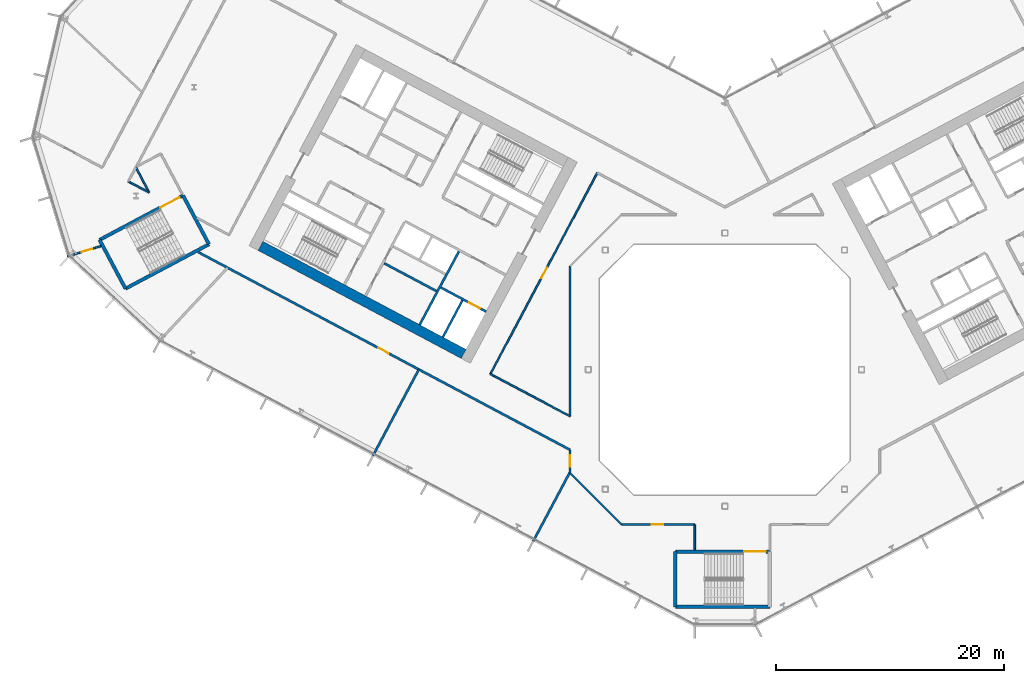
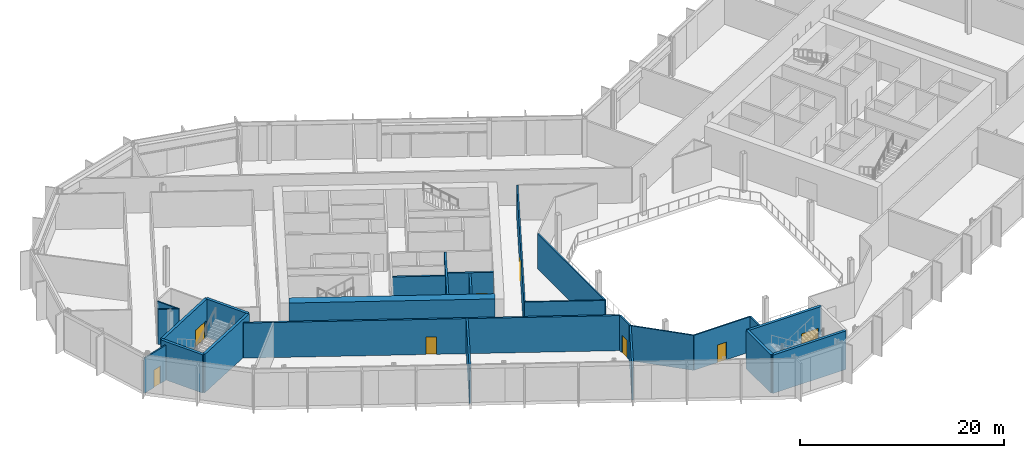
# One storey, part 14 of 31: 25 walls, 8 doors, 8 openings.
"""IFC4 building model written with IfcOpenShell, lengths in metres."""

from ifc_helpers import new_model, si_unit, direction, frame, frame_2d, origin, place, context, subcontext, project, spatial, rectangle, extrude, material, layer, layer_set, type_object, element, fill, save


model = new_model("IFC4")

# Units and contexts
model_context = context("Model", 3, precision=1e-05, world=origin(), true_north=direction((0.0, 1.0)))
body_context = subcontext(model_context, "Body", "Model", "MODEL_VIEW")
ifc_project = project(units=[si_unit("LENGTHUNIT", "METRE"), si_unit("AREAUNIT", "SQUARE_METRE"), si_unit("VOLUMEUNIT", "CUBIC_METRE"), si_unit("PLANEANGLEUNIT", "RADIAN"), si_unit("MASSUNIT", "GRAM", prefix="KILO")], contexts=[model_context])

# Site, building, storey
site_placement = place(None, origin())
site = spatial("IfcSite", under=ifc_project, at=site_placement, CompositionType="ELEMENT")
building_placement = place(site_placement, origin())
building = spatial("IfcBuilding", under=site, at=building_placement, Name="Cormorant Relay Tower", CompositionType="ELEMENT")
storey_placement = place(building_placement, frame((0.0, 0.0, 98.39990234375)))
storey = spatial("IfcBuildingStorey", under=building, at=storey_placement, Name="L19", CompositionType="ELEMENT", Elevation=98.39990234375)

# Walls
ifc_material_1 = material(Name="Concrete 40 MPa", Category="concrete")
ifc_layer_1 = layer(ifc_material_1, 0.199951171875)
ifc_layer_set_1 = layer_set([ifc_layer_1], Name="Core internal wall 200")
wall_type_1 = type_object("IfcWallType", Name="Core internal wall 200", PredefinedType="SOLIDWALL", material=ifc_layer_set_1)
wall_1_placement = place(storey_placement, frame((-25.326416015625, 6.8974609375, 0.0), z_axis=(0.0, 0.0, 1.0), x_axis=(-0.882953967957, 0.469459572775, 0.0)))
element("IfcWall", 1, at=wall_1_placement, inside=storey, type_object=wall_type_1, Name="L19 core A shaft and room wall", PredefinedType="SOLIDWALL", context=body_context, shape_type="SweptSolid", body=[
    extrude(rectangle(XDim=5.199951171875, YDim=0.199951171875, at=frame_2d((2.60009765625, 0.0))), origin(), (0.0, 0.0, 1.0), 4.60009765625),
])
ifc_material_2 = material(Name="Concrete 50 MPa", Category="concrete")
ifc_layer_2 = layer(ifc_material_2, 0.199951171875)
ifc_layer_set_2 = layer_set([ifc_layer_2], Name="Core shaft wall 200")
wall_type_2 = type_object("IfcWallType", Name="Core shaft wall 200", PredefinedType="SHEAR", material=ifc_layer_set_2)
wall_2_placement = place(storey_placement, frame((-23.04296875, 6.07958984375, 0.0), z_axis=(0.0, 0.0, 1.0), x_axis=(-0.469494272526, -0.882935517501, 0.0)))
element("IfcWall", 2, at=wall_2_placement, inside=storey, type_object=wall_type_2, Name="L19 core A shaft wall", PredefinedType="SHEAR", context=body_context, shape_type="SweptSolid", body=[
    extrude(rectangle(XDim=3.64990234375, YDim=0.199951171875, at=frame_2d((1.824951171875, 0.0))), origin(), (0.0, 0.0, 1.0), 4.60009765625),
])
wall_3_placement = place(storey_placement, frame((-23.360107421875, 10.38232421875, 0.0), z_axis=(0.0, 0.0, 1.0), x_axis=(-0.469480409012, -0.88294288918, 0.0)))
element("IfcWall", 3, at=wall_3_placement, inside=storey, type_object=wall_type_2, Name="L19 core A shaft wall", PredefinedType="SHEAR", context=body_context, shape_type="SweptSolid", body=[
    extrude(rectangle(XDim=7.300048828125, YDim=0.199951171875, at=frame_2d((3.64990234375, 0.0))), origin(), (0.0, 0.0, 1.0), 4.60009765625),
])

# Wall, opening, door
wall_4_placement = place(storey_placement, frame((-20.96533203125, 5.088134765625, 0.0), z_axis=(0.0, 0.0, 1.0), x_axis=(-0.882925986334, 0.469512196493, 0.0)))
wall_4 = element("IfcWall", 4, at=wall_4_placement, inside=storey, type_object=wall_type_2, Name="L19 core A shaft wall", PredefinedType="SHEAR", context=body_context, shape_type="SweptSolid", body=[
    extrude(rectangle(XDim=4.5, YDim=0.199951171875, at=frame_2d((2.25, 0.0))), origin(), (0.0, 0.0, 1.0), 4.60009765625),
])
opening_1_placement = place(wall_4_placement, frame((0.60009765625, 0.0, 0.0)))
opening_1 = element("IfcOpeningElement", 5, at=opening_1_placement, cuts=wall_4, Name="Opening LD1-027", PredefinedType="OPENING", context=body_context, shape_type="SweptSolid", body=[
    extrude(rectangle(XDim=1.10009765625, YDim=2.10009765625, at=frame_2d((0.550048828125, 1.050048828125))), frame((0.0, 0.10986328125, 0.0), z_axis=(0.0, -1.0, 0.0), x_axis=(1.0, 0.0, 0.0)), (0.0, 0.0, 1.0), 0.219970703125),
])
ifc_material_3 = material(Name="Stainless steel 316", Category="steel")
door_type_1 = type_object("IfcDoorType", Name="Lift landing door 1100x2100", OperationType="DOUBLE_DOOR_SLIDING", PredefinedType="DOOR", material=ifc_material_3)
door_1_placement = place(opening_1_placement, origin())
door_1 = element("IfcDoor", 6, at=door_1_placement, inside=storey, type_object=door_type_1, Name="FF1 landing door", OperationType="DOUBLE_DOOR_SLIDING", OverallHeight=2.10009765625, OverallWidth=1.10009765625, PredefinedType="DOOR", context=body_context, shape_type="SweptSolid", body=[
    extrude(rectangle(XDim=1.10009765625, YDim=2.10009765625, at=frame_2d((0.550048828125, 1.050048828125))), frame((0.0, 0.02490234375, 0.0), z_axis=(0.0, -1.0, 0.0), x_axis=(1.0, 0.0, 0.0)), (0.0, 0.0, 1.0), 0.050048828125),
])
fill(opening_1, door_1)

# Walls
ifc_material_4 = material(Name="Concrete 70 MPa", Category="concrete")
ifc_layer_3 = layer(ifc_material_4, 0.89990234375)
ifc_layer_set_3 = layer_set([ifc_layer_3], Name="Core wall 900")
wall_type_3 = type_object("IfcWallType", Name="Core wall 900", PredefinedType="SHEAR", material=ifc_layer_set_3)
wall_5_placement = place(storey_placement, frame((-22.93701171875, 1.3798828125, 0.0), z_axis=(0.0, 0.0, 1.0), x_axis=(-0.88295276571, 0.46946183394, 0.0)))
element("IfcWall", 7, at=wall_5_placement, inside=storey, type_object=wall_type_3, Name="L19 core A wall", PredefinedType="SHEAR", context=body_context, shape_type="SweptSolid", body=[
    extrude(rectangle(XDim=20.199951171875, YDim=0.89990234375, at=frame_2d((10.10009765625, 0.0))), origin(), (0.0, 0.0, 1.0), 4.60009765625),
])
ifc_material_5 = material(Name="Fire-rated gypsum board partition")
ifc_layer_4 = layer(ifc_material_5, 0.199951171875)
ifc_layer_set_4 = layer_set([ifc_layer_4], Name="Fire-rated gypsum partition 200")
wall_type_4 = type_object("IfcWallType", Name="Fire-rated gypsum partition 200", PredefinedType="PARTITIONING", material=ifc_layer_set_4)
wall_6_placement = place(storey_placement, frame((-26.87109375, 0.01708984375, 0.0), z_axis=(0.0, 0.0, 1.0), x_axis=(-0.469522575087, -0.882920467247, 0.0)))
element("IfcWall", 8, at=wall_6_placement, inside=storey, type_object=wall_type_4, Name="wall/L19/part/7", PredefinedType="PARTITIONING", context=body_context, shape_type="SweptSolid", body=[
    extrude(rectangle(XDim=8.599853515625, YDim=0.199951171875, at=frame_2d((4.2998046875, 0.0))), origin(), (0.0, 0.0, 1.0), 4.2001953125),
])

# Wall, opening, door
wall_7_placement = place(storey_placement, frame((-13.60009765625, -9.076904296875, 0.0), z_axis=(0.0, 0.0, 1.0), x_axis=(0.0, 1.0, 0.0)))
wall_7 = element("IfcWall", 9, at=wall_7_placement, inside=storey, type_object=wall_type_4, Name="wall/L19/part/16", PredefinedType="PARTITIONING", context=body_context, shape_type="SweptSolid", body=[
    extrude(rectangle(XDim=2.037841796875, YDim=0.199951171875, at=frame_2d((1.01904296875, 0.0))), origin(), (0.0, 0.0, 1.0), 4.2001953125),
])
opening_2_placement = place(wall_7_placement, frame((0.550048828125, 0.0, 0.0)))
opening_2 = element("IfcOpeningElement", 10, at=opening_2_placement, cuts=wall_7, Name="Opening FD1-107", PredefinedType="OPENING", context=body_context, shape_type="SweptSolid", body=[
    extrude(rectangle(XDim=1.0, YDim=2.10009765625, at=frame_2d((0.5, 1.050048828125))), frame((0.0, 0.10986328125, 0.0), z_axis=(0.0, -1.0, 0.0), x_axis=(1.0, 0.0, 0.0)), (0.0, 0.0, 1.0), 0.219970703125),
])
ifc_material_6 = material(Name="Fire-rated steel door", Category="steel")
door_type_2 = type_object("IfcDoorType", Name="Fire door 1000 x 2100", OperationType="SINGLE_SWING_LEFT", PredefinedType="DOOR", material=ifc_material_6)
door_2_placement = place(opening_2_placement, origin())
door_2 = element("IfcDoor", 11, at=door_2_placement, inside=storey, type_object=door_type_2, Name="door/L19/19", OperationType="SINGLE_SWING_RIGHT", OverallHeight=2.10009765625, OverallWidth=1.0, PredefinedType="DOOR", context=body_context, shape_type="SweptSolid", body=[
    extrude(rectangle(XDim=1.0, YDim=2.10009765625, at=frame_2d((0.5, 1.050048828125))), frame((0.0, 0.02490234375, 0.0), z_axis=(0.0, -1.0, 0.0), x_axis=(1.0, 0.0, 0.0)), (0.0, 0.0, 1.0), 0.050048828125),
])
fill(opening_2, door_2)

wall_8_placement = place(storey_placement, frame((-13.60009765625, -7.0390625, 0.0), z_axis=(0.0, 0.0, 1.0), x_axis=(-0.882948807105, 0.469469279113, 0.0)))
wall_8 = element("IfcWall", 12, at=wall_8_placement, inside=storey, type_object=wall_type_4, Name="wall/L19/part/17", PredefinedType="PARTITIONING", context=body_context, shape_type="SweptSolid", body=[
    extrude(rectangle(XDim=36.99853515625, YDim=0.199951171875, at=frame_2d((18.499267578125, 0.0))), origin(), (0.0, 0.0, 1.0), 4.2001953125),
])
opening_3_placement = place(wall_8_placement, frame((18.050048828125, 0.0, 0.0)))
opening_3 = element("IfcOpeningElement", 13, at=opening_3_placement, cuts=wall_8, Name="Opening FD1-106", PredefinedType="OPENING", context=body_context, shape_type="SweptSolid", body=[
    extrude(rectangle(XDim=1.0, YDim=2.10009765625, at=frame_2d((0.5, 1.050048828125))), frame((0.0, 0.10986328125, 0.0), z_axis=(0.0, -1.0, 0.0), x_axis=(1.0, 0.0, 0.0)), (0.0, 0.0, 1.0), 0.219970703125),
])
door_3_placement = place(opening_3_placement, origin())
door_3 = element("IfcDoor", 14, at=door_3_placement, inside=storey, type_object=door_type_2, Name="door/L19/18", OperationType="SINGLE_SWING_LEFT", OverallHeight=2.10009765625, OverallWidth=1.0, PredefinedType="DOOR", context=body_context, shape_type="SweptSolid", body=[
    extrude(rectangle(XDim=1.0, YDim=2.10009765625, at=frame_2d((0.5, 1.050048828125))), frame((0.0, 0.02490234375, 0.0), z_axis=(0.0, -1.0, 0.0), x_axis=(1.0, 0.0, 0.0)), (0.0, 0.0, 1.0), 0.050048828125),
])
fill(opening_3, door_3)

# Wall
wall_9_placement = place(storey_placement, frame((-13.60009765625, -8.998046875, 0.0), z_axis=(0.0, 0.0, 1.0), x_axis=(-0.469531053644, -0.882915958438, 0.0)))
element("IfcWall", 15, at=wall_9_placement, inside=storey, type_object=wall_type_4, Name="wall/L19/part/20", PredefinedType="PARTITIONING", context=body_context, shape_type="SweptSolid", body=[
    extrude(rectangle(XDim=6.870361328125, YDim=0.199951171875, at=frame_2d((3.43505859375, 0.0))), origin(), (0.0, 0.0, 1.0), 4.2001953125),
])

# Wall, opening, door
ifc_material_7 = material(Name="Gypsum board partition")
ifc_layer_5 = layer(ifc_material_7, 0.14990234375)
ifc_layer_set_5 = layer_set([ifc_layer_5], Name="Gypsum board partition 150")
wall_type_5 = type_object("IfcWallType", Name="Gypsum board partition 150", PredefinedType="PARTITIONING", material=ifc_layer_set_5)
wall_10_placement = place(storey_placement, frame((-54.7607421875, 10.847900390625, 0.0), z_axis=(0.0, 0.0, 1.0), x_axis=(-0.956301064033, -0.29238378021, 0.0)))
wall_10 = element("IfcWall", 16, at=wall_10_placement, inside=storey, type_object=wall_type_5, Name="wall/L19/part/5", PredefinedType="PARTITIONING", context=body_context, shape_type="SweptSolid", body=[
    extrude(rectangle(XDim=3.115478515625, YDim=0.14990234375, at=frame_2d((1.5576171875, 0.0))), origin(), (0.0, 0.0, 1.0), 4.2001953125),
])
opening_4_placement = place(wall_10_placement, frame((0.820068359375, 0.0, 0.0)))
opening_4 = element("IfcOpeningElement", 17, at=opening_4_placement, cuts=wall_10, Name="Opening D2-012", PredefinedType="OPENING", context=body_context, shape_type="SweptSolid", body=[
    extrude(rectangle(XDim=0.949951171875, YDim=2.10009765625, at=frame_2d((0.47509765625, 1.050048828125))), frame((0.0, 0.0849609375, 0.0), z_axis=(0.0, -1.0, 0.0), x_axis=(1.0, 0.0, 0.0)), (0.0, 0.0, 1.0), 0.169921875),
])
ifc_material_8 = material(Name="Timber door", Category="wood")
door_type_3 = type_object("IfcDoorType", Name="Toilet door 950 x 2100", OperationType="SINGLE_SWING_LEFT", PredefinedType="DOOR", material=ifc_material_8)
door_4_placement = place(opening_4_placement, origin())
door_4 = element("IfcDoor", 18, at=door_4_placement, inside=storey, type_object=door_type_3, Name="door/L19/17", OperationType="SINGLE_SWING_RIGHT", OverallHeight=2.10009765625, OverallWidth=0.949951171875, PredefinedType="DOOR", context=body_context, shape_type="SweptSolid", body=[
    extrude(rectangle(XDim=0.949951171875, YDim=2.10009765625, at=frame_2d((0.47509765625, 1.050048828125))), frame((0.0, 0.02490234375, 0.0), z_axis=(0.0, -1.0, 0.0), x_axis=(1.0, 0.0, 0.0)), (0.0, 0.0, 1.0), 0.050048828125),
])
fill(opening_4, door_4)

# Walls
wall_11_placement = place(storey_placement, frame((-13.60009765625, -9.076904296875, 0.0), z_axis=(0.0, 0.0, 1.0), x_axis=(0.707106781187, -0.707106781187, 0.0)))
element("IfcWall", 19, at=wall_11_placement, inside=storey, type_object=wall_type_5, Name="wall/L19/part/23", PredefinedType="PARTITIONING", context=body_context, shape_type="SweptSolid", body=[
    extrude(rectangle(XDim=6.396728515625, YDim=0.14990234375, at=frame_2d((3.1982421875, 0.0))), origin(), (0.0, 0.0, 1.0), 4.2001953125),
])
wall_12_placement = place(storey_placement, frame((-2.64892578125, -15.840087890625, 0.0), z_axis=(0.0, 0.0, 1.0), x_axis=(0.0, 1.0, 0.0)))
element("IfcWall", 20, at=wall_12_placement, inside=storey, type_object=wall_type_5, Name="wall/L19/part/24", PredefinedType="PARTITIONING", context=body_context, shape_type="SweptSolid", body=[
    extrude(rectangle(XDim=2.239990234375, YDim=0.14990234375, at=frame_2d((1.1201171875, 0.0))), origin(), (0.0, 0.0, 1.0), 4.2001953125),
])

# Wall, opening, door
wall_13_placement = place(storey_placement, frame((-2.64892578125, -13.60009765625, 0.0), z_axis=(0.0, 0.0, 1.0), x_axis=(-1.0, 0.0, 0.0)))
wall_13 = element("IfcWall", 21, at=wall_13_placement, inside=storey, type_object=wall_type_5, Name="wall/L19/part/25", PredefinedType="PARTITIONING", context=body_context, shape_type="SweptSolid", body=[
    extrude(rectangle(XDim=6.427978515625, YDim=0.14990234375, at=frame_2d((3.2138671875, 0.0))), origin(), (0.0, 0.0, 1.0), 4.2001953125),
])
opening_5_placement = place(wall_13_placement, frame((2.75, 0.0, 0.0)))
opening_5 = element("IfcOpeningElement", 22, at=opening_5_placement, cuts=wall_13, Name="Opening D1-042", PredefinedType="OPENING", context=body_context, shape_type="SweptSolid", body=[
    extrude(rectangle(XDim=1.0, YDim=2.10009765625, at=frame_2d((0.5, 1.050048828125))), frame((0.0, 0.0849609375, 0.0), z_axis=(0.0, -1.0, 0.0), x_axis=(1.0, 0.0, 0.0)), (0.0, 0.0, 1.0), 0.169921875),
])
ifc_material_9 = material(Name="Painted steel door", Category="steel")
door_type_4 = type_object("IfcDoorType", Name="Single door 1000 x 2100", OperationType="SINGLE_SWING_LEFT", PredefinedType="DOOR", material=ifc_material_9)
door_5_placement = place(opening_5_placement, origin())
door_5 = element("IfcDoor", 23, at=door_5_placement, inside=storey, type_object=door_type_4, Name="door/L19/20", OperationType="SINGLE_SWING_LEFT", OverallHeight=2.10009765625, OverallWidth=1.0, PredefinedType="DOOR", context=body_context, shape_type="SweptSolid", body=[
    extrude(rectangle(XDim=1.0, YDim=2.10009765625, at=frame_2d((0.5, 1.050048828125))), frame((0.0, 0.02490234375, 0.0), z_axis=(0.0, -1.0, 0.0), x_axis=(1.0, 0.0, 0.0)), (0.0, 0.0, 1.0), 0.050048828125),
])
fill(opening_5, door_5)

# Walls
wall_14_placement = place(storey_placement, frame((-52.3740234375, 16.52197265625, 0.0), z_axis=(0.0, 0.0, 1.0), x_axis=(0.882981472085, -0.469407839682, 0.0)))
element("IfcWall", 24, at=wall_14_placement, inside=storey, type_object=wall_type_5, Name="wall/L19/part/53", PredefinedType="PARTITIONING", context=body_context, shape_type="SweptSolid", body=[
    extrude(rectangle(XDim=2.072509765625, YDim=0.14990234375, at=frame_2d((1.0361328125, 0.0))), origin(), (0.0, 0.0, 1.0), 4.2001953125),
])
wall_15_placement = place(storey_placement, frame((-50.5439453125, 15.549072265625, 0.0), z_axis=(0.0, 0.0, 1.0), x_axis=(-0.469183782948, 0.883100547967, 0.0)))
element("IfcWall", 25, at=wall_15_placement, inside=storey, type_object=wall_type_5, Name="wall/L19/part/54", PredefinedType="PARTITIONING", context=body_context, shape_type="SweptSolid", body=[
    extrude(rectangle(XDim=2.500244140625, YDim=0.14990234375, at=frame_2d((1.25, 0.0))), origin(), (0.0, 0.0, 1.0), 4.2001953125),
])

# Wall, opening, door
wall_16_placement = place(storey_placement, frame((-20.587890625, -0.37890625, 0.0), z_axis=(0.0, 0.0, 1.0), x_axis=(0.469489882812, 0.882937851685, 0.0)))
wall_16 = element("IfcWall", 26, at=wall_16_placement, inside=storey, type_object=wall_type_5, Name="wall/L19/part/56", PredefinedType="PARTITIONING", context=body_context, shape_type="SweptSolid", body=[
    extrude(rectangle(XDim=20.000244140625, YDim=0.14990234375, at=frame_2d((10.0, 0.0))), origin(), (0.0, 0.0, 1.0), 4.2001953125),
])
opening_6_placement = place(wall_16_placement, frame((9.550048828125, 0.0, 0.0)))
opening_6 = element("IfcOpeningElement", 27, at=opening_6_placement, cuts=wall_16, Name="Opening D1-031", PredefinedType="OPENING", context=body_context, shape_type="SweptSolid", body=[
    extrude(rectangle(XDim=1.0, YDim=2.10009765625, at=frame_2d((0.5, 1.050048828125))), frame((0.0, 0.0849609375, 0.0), z_axis=(0.0, -1.0, 0.0), x_axis=(1.0, 0.0, 0.0)), (0.0, 0.0, 1.0), 0.169921875),
])
door_6_placement = place(opening_6_placement, frame((1.0, 0.0, 0.0), z_axis=(0.0, 0.0, 1.0), x_axis=(-1.0, 0.0, 0.0)))
door_6 = element("IfcDoor", 28, at=door_6_placement, inside=storey, type_object=door_type_4, Name="door/L19/4", OperationType="SINGLE_SWING_LEFT", OverallHeight=2.10009765625, OverallWidth=1.0, PredefinedType="DOOR", context=body_context, shape_type="SweptSolid", body=[
    extrude(rectangle(XDim=1.0, YDim=2.10009765625, at=frame_2d((0.5, 1.050048828125))), frame((0.0, 0.02490234375, 0.0), z_axis=(0.0, -1.0, 0.0), x_axis=(1.0, 0.0, 0.0)), (0.0, 0.0, 1.0), 0.050048828125),
])
fill(opening_6, door_6)

# Walls
wall_17_placement = place(storey_placement, frame((-13.60009765625, 9.076904296875, 0.0), z_axis=(0.0, 0.0, 1.0), x_axis=(0.0, -1.0, 0.0)))
element("IfcWall", 29, at=wall_17_placement, inside=storey, type_object=wall_type_5, Name="wall/L19/part/60", PredefinedType="PARTITIONING", context=body_context, shape_type="SweptSolid", body=[
    extrude(rectangle(XDim=13.1708984375, YDim=0.14990234375, at=frame_2d((6.58544921875, 0.0))), origin(), (0.0, 0.0, 1.0), 4.2001953125),
])
wall_18_placement = place(storey_placement, frame((-13.60009765625, -4.093994140625, 0.0), z_axis=(0.0, 0.0, 1.0), x_axis=(-0.882967890474, 0.469433386533, 0.0)))
element("IfcWall", 30, at=wall_18_placement, inside=storey, type_object=wall_type_5, Name="wall/L19/part/61", PredefinedType="PARTITIONING", context=body_context, shape_type="SweptSolid", body=[
    extrude(rectangle(XDim=7.9140625, YDim=0.14990234375, at=frame_2d((3.95703125, 0.0))), origin(), (0.0, 0.0, 1.0), 4.2001953125),
])
ifc_material_10 = material(Name="Concrete 50 MPa", Category="concrete")
ifc_layer_6 = layer(ifc_material_10, 0.300048828125)
ifc_layer_set_6 = layer_set([ifc_layer_6], Name="Remote stair wall 300")
wall_type_6 = type_object("IfcWallType", Name="Remote stair wall 300", PredefinedType="SHEAR", material=ifc_layer_set_6)
wall_19_placement = place(storey_placement, frame((3.949951171875, -20.824951171875, 0.0), z_axis=(0.0, 0.0, 1.0), x_axis=(-1.0, 0.0, 0.0)))
element("IfcWall", 31, at=wall_19_placement, inside=storey, type_object=wall_type_6, Name="L19 exit stair RK1 wall", PredefinedType="SHEAR", context=body_context, shape_type="SweptSolid", body=[
    extrude(rectangle(XDim=8.300048828125, YDim=0.300048828125, at=frame_2d((4.14990234375, 0.0))), origin(), (0.0, 0.0, 1.0), 4.60009765625),
])
wall_20_placement = place(storey_placement, frame((-4.35009765625, -20.824951171875, 0.0), z_axis=(0.0, 0.0, 1.0), x_axis=(0.0, 1.0, 0.0)))
element("IfcWall", 32, at=wall_20_placement, inside=storey, type_object=wall_type_6, Name="L19 exit stair RK1 wall", PredefinedType="SHEAR", context=body_context, shape_type="SweptSolid", body=[
    extrude(rectangle(XDim=4.849853515625, YDim=0.300048828125, at=frame_2d((2.4248046875, 0.0))), origin(), (0.0, 0.0, 1.0), 4.60009765625),
])

# Wall, opening, door
wall_21_placement = place(storey_placement, frame((-4.35009765625, -15.97509765625, 0.0), z_axis=(0.0, 0.0, 1.0), x_axis=(1.0, 0.0, 0.0)))
wall_21 = element("IfcWall", 33, at=wall_21_placement, inside=storey, type_object=wall_type_6, Name="L19 exit stair RK1 wall", PredefinedType="SHEAR", context=body_context, shape_type="SweptSolid", body=[
    extrude(rectangle(XDim=8.300048828125, YDim=0.300048828125, at=frame_2d((4.14990234375, 0.0))), origin(), (0.0, 0.0, 1.0), 4.60009765625),
])
opening_7_placement = place(wall_21_placement, frame((6.050048828125, 0.0, 0.0)))
opening_7 = element("IfcOpeningElement", 34, at=opening_7_placement, cuts=wall_21, Name="Opening CDE-008", PredefinedType="OPENING", context=body_context, shape_type="SweptSolid", body=[
    extrude(rectangle(XDim=1.89990234375, YDim=2.10009765625, at=frame_2d((0.949951171875, 1.050048828125))), frame((0.0, 0.159912109375, 0.0), z_axis=(0.0, -1.0, 0.0), x_axis=(1.0, 0.0, 0.0)), (0.0, 0.0, 1.0), 0.320068359375),
])
ifc_material_11 = material(Name="Steel fire door", Category="steel")
door_type_5 = type_object("IfcDoorType", Name="Remote stair door 1900x2100", OperationType="DOUBLE_DOOR_SINGLE_SWING", PredefinedType="DOOR", material=ifc_material_11)
door_7_placement = place(opening_7_placement, frame((1.89990234375, 0.0, 0.0), z_axis=(0.0, 0.0, 1.0), x_axis=(-1.0, 0.0, 0.0)))
door_7 = element("IfcDoor", 35, at=door_7_placement, inside=storey, type_object=door_type_5, Name="Exit stair RK1 door", OperationType="DOUBLE_DOOR_SINGLE_SWING", OverallHeight=2.10009765625, OverallWidth=1.89990234375, PredefinedType="DOOR", context=body_context, shape_type="SweptSolid", body=[
    extrude(rectangle(XDim=1.89990234375, YDim=2.10009765625, at=frame_2d((0.949951171875, 1.050048828125))), frame((0.0, 0.02490234375, 0.0), z_axis=(0.0, -1.0, 0.0), x_axis=(1.0, 0.0, 0.0)), (0.0, 0.0, 1.0), 0.050048828125),
])
fill(opening_7, door_7)

# Walls
wall_22_placement = place(storey_placement, frame((-47.57421875, 15.28955078125, 0.0), z_axis=(0.0, 0.0, 1.0), x_axis=(0.469443498566, -0.882962514297, 0.0)))
element("IfcWall", 36, at=wall_22_placement, inside=storey, type_object=wall_type_6, Name="L19 exit stair RP1 wall", PredefinedType="SHEAR", context=body_context, shape_type="SweptSolid", body=[
    extrude(rectangle(XDim=4.85009765625, YDim=0.300048828125, at=frame_2d((2.425048828125, 0.0))), origin(), (0.0, 0.0, 1.0), 4.60009765625),
])
wall_23_placement = place(storey_placement, frame((-45.29736328125, 11.007080078125, 0.0), z_axis=(0.0, 0.0, 1.0), x_axis=(-0.882951519127, -0.469464178475, 0.0)))
element("IfcWall", 37, at=wall_23_placement, inside=storey, type_object=wall_type_6, Name="L19 exit stair RP1 wall", PredefinedType="SHEAR", context=body_context, shape_type="SweptSolid", body=[
    extrude(rectangle(XDim=8.2998046875, YDim=0.300048828125, at=frame_2d((4.14990234375, 0.0))), origin(), (0.0, 0.0, 1.0), 4.60009765625),
])
wall_24_placement = place(storey_placement, frame((-52.625732421875, 7.110595703125, 0.0), z_axis=(0.0, 0.0, 1.0), x_axis=(-0.469464364128, 0.882951420416, 0.0)))
element("IfcWall", 38, at=wall_24_placement, inside=storey, type_object=wall_type_6, Name="L19 exit stair RP1 wall", PredefinedType="SHEAR", context=body_context, shape_type="SweptSolid", body=[
    extrude(rectangle(XDim=4.849853515625, YDim=0.300048828125, at=frame_2d((2.4248046875, 0.0))), origin(), (0.0, 0.0, 1.0), 4.60009765625),
])

# Wall, opening, door
wall_25_placement = place(storey_placement, frame((-54.902587890625, 11.392822265625, 0.0), z_axis=(0.0, 0.0, 1.0), x_axis=(0.882939326045, 0.469487110071, 0.0)))
wall_25 = element("IfcWall", 39, at=wall_25_placement, inside=storey, type_object=wall_type_6, Name="L19 exit stair RP1 wall", PredefinedType="SHEAR", context=body_context, shape_type="SweptSolid", body=[
    extrude(rectangle(XDim=8.300048828125, YDim=0.300048828125, at=frame_2d((4.14990234375, 0.0))), origin(), (0.0, 0.0, 1.0), 4.60009765625),
])
opening_8_placement = place(wall_25_placement, frame((6.050048828125, 0.0, 0.0)))
opening_8 = element("IfcOpeningElement", 40, at=opening_8_placement, cuts=wall_25, Name="Opening CDE-009", PredefinedType="OPENING", context=body_context, shape_type="SweptSolid", body=[
    extrude(rectangle(XDim=1.89990234375, YDim=2.10009765625, at=frame_2d((0.949951171875, 1.050048828125))), frame((0.0, 0.159912109375, 0.0), z_axis=(0.0, -1.0, 0.0), x_axis=(1.0, 0.0, 0.0)), (0.0, 0.0, 1.0), 0.320068359375),
])
door_8_placement = place(opening_8_placement, frame((1.89990234375, 0.0, 0.0), z_axis=(0.0, 0.0, 1.0), x_axis=(-1.0, 0.0, 0.0)))
door_8 = element("IfcDoor", 41, at=door_8_placement, inside=storey, type_object=door_type_5, Name="Exit stair RP1 door", OperationType="DOUBLE_DOOR_SINGLE_SWING", OverallHeight=2.10009765625, OverallWidth=1.89990234375, PredefinedType="DOOR", context=body_context, shape_type="SweptSolid", body=[
    extrude(rectangle(XDim=1.89990234375, YDim=2.10009765625, at=frame_2d((0.949951171875, 1.050048828125))), frame((0.0, 0.02490234375, 0.0), z_axis=(0.0, -1.0, 0.0), x_axis=(1.0, 0.0, 0.0)), (0.0, 0.0, 1.0), 0.050048828125),
])
fill(opening_8, door_8)

save(model, "model.ifc")
